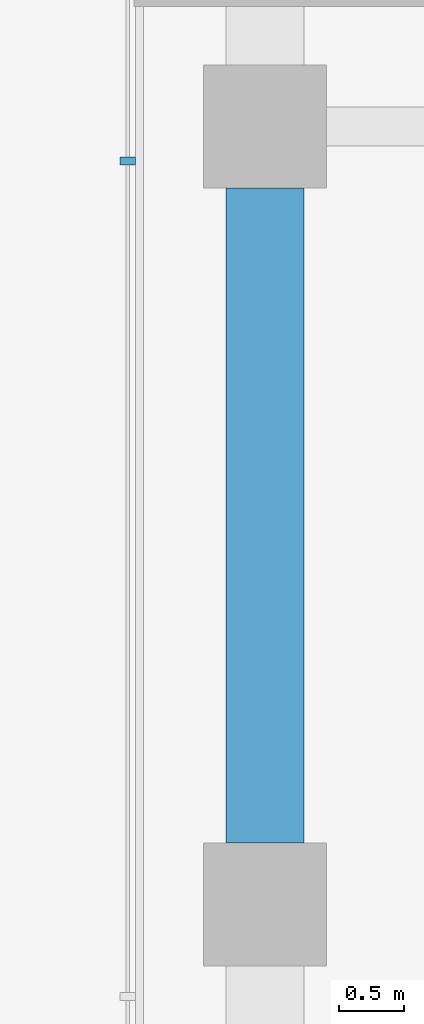
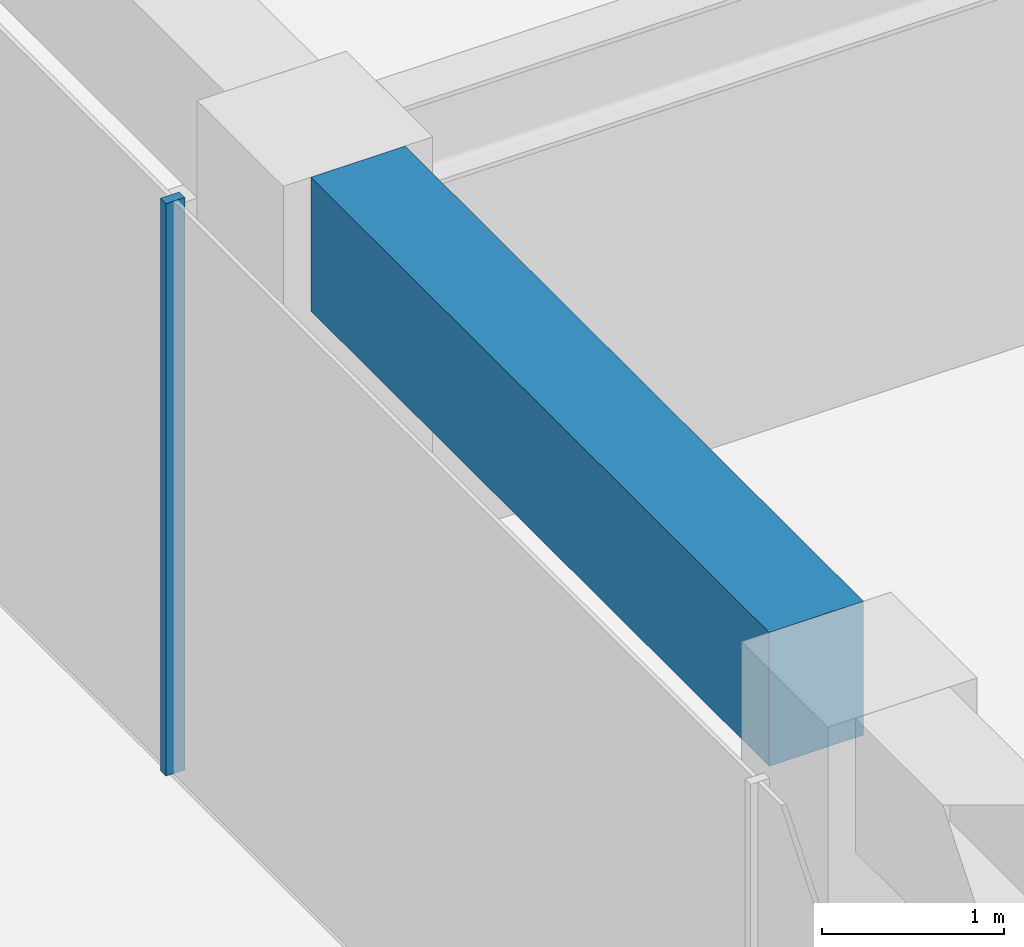
# One storey, part 14 of 29: 1 beam, 1 member, 1 element without a shape of its own.
"""IFC4 building model written with IfcOpenShell, lengths in metres."""

from ifc_helpers import new_model, si_unit, direction, frame, origin, origin_2d, place, context, subcontext, project, spatial, rectangle, extrude, material, layer, layer_set, material_profile, profile_set, type_object, element, aggregate, save


model = new_model("IFC4")

# Units and contexts
model_context = context("Model", 3, precision=1e-05, world=origin(), true_north=direction((0.0, 1.0)))
body_context = subcontext(model_context, "Body", "Model", "MODEL_VIEW")
ifc_project = project(units=[si_unit("LENGTHUNIT", "METRE"), si_unit("AREAUNIT", "SQUARE_METRE"), si_unit("VOLUMEUNIT", "CUBIC_METRE"), si_unit("PLANEANGLEUNIT", "RADIAN"), si_unit("MASSUNIT", "GRAM", prefix="KILO")], contexts=[model_context])

# Site, building, storey
site_placement = place(None, origin())
site = spatial("IfcSite", under=ifc_project, at=site_placement, CompositionType="ELEMENT")
building_placement = place(site_placement, origin())
building = spatial("IfcBuilding", under=site, at=building_placement, Name="Welwitschia Terrace Campus", CompositionType="ELEMENT")
storey_placement = place(building_placement, frame((0.0, 0.0, 50.0)))
storey = spatial("IfcBuildingStorey", under=building, at=storey_placement, Name="L11", CompositionType="ELEMENT", Elevation=50.0)

# Curtain wall, member
ifc_material_1 = material(Name="Bronze anodised aluminium", Category="aluminium")
ifc_layer = layer(ifc_material_1, 0.1201171875)
ifc_layer_set = layer_set([ifc_layer], Name="Bronze anodised aluminium")
curtain_wall_type = type_object("IfcCurtainWallType", Name="Curtain wall CW2 tower 6000", PredefinedType="NOTDEFINED", material=ifc_layer_set)
curtain_wall_placement = place(storey_placement, origin())
curtain_wall = element("IfcCurtainWall", 1, at=curtain_wall_placement, inside=storey, type_object=curtain_wall_type, Name="CW L11.10.0", PredefinedType="NOTDEFINED")
ifc_material_2 = material(Name="Bronze anodised aluminium", Category="aluminium")
ifc_material_profile_1 = material_profile(ifc_material_2, rectangle(XDim=0.1201171875, YDim=0.06005859375, at=origin_2d()))
ifc_profile_set_1 = profile_set([ifc_material_profile_1], Name="Bronze anodised aluminium")
member_type = type_object("IfcMemberType", Name="Mullion 60x120", PredefinedType="MULLION", material=ifc_profile_set_1)
member_placement = place(storey_placement, frame((-1.05810546875, 43.7333984375, 0.0), z_axis=(0.0, 0.0, 1.0), x_axis=(1.0, 0.0, 0.0)))
member = element("IfcMember", 2, at=member_placement, type_object=member_type, Name="Mullion L11.10.0.3", PredefinedType="MULLION", context=body_context, shape_type="SweptSolid", body=[
    extrude(rectangle(XDim=0.1201171875, YDim=0.06005859375, at=origin_2d()), origin(), (0.0, 0.0, 1.0), 3.85009765625),
])
aggregate(curtain_wall, [member])

# Beam
ifc_material_3 = material(Name="Concrete C60/75", Category="concrete")
ifc_material_profile_2 = material_profile(ifc_material_3, rectangle(XDim=0.60009765625, YDim=0.89990234375, at=origin_2d()))
ifc_profile_set_2 = profile_set([ifc_material_profile_2], Name="Concrete C60/75")
beam_type = type_object("IfcBeamType", Name="Ring spandrel 600x900", PredefinedType="SPANDREL", material=ifc_profile_set_2)
beam_placement = place(storey_placement, frame((0.0, 43.5244140625, 3.39990234375), z_axis=(0.0, -1.0, 0.0), x_axis=(1.0, 0.0, 0.0)))
element("IfcBeam", 3, at=beam_placement, inside=storey, type_object=beam_type, Name="Spandrel SP2", PredefinedType="SPANDREL", context=body_context, shape_type="SweptSolid", body=[
    extrude(rectangle(XDim=0.60009765625, YDim=0.89990234375, at=origin_2d()), origin(), (0.0, 0.0, 1.0), 5.048828125),
])

save(model, "model.ifc")
